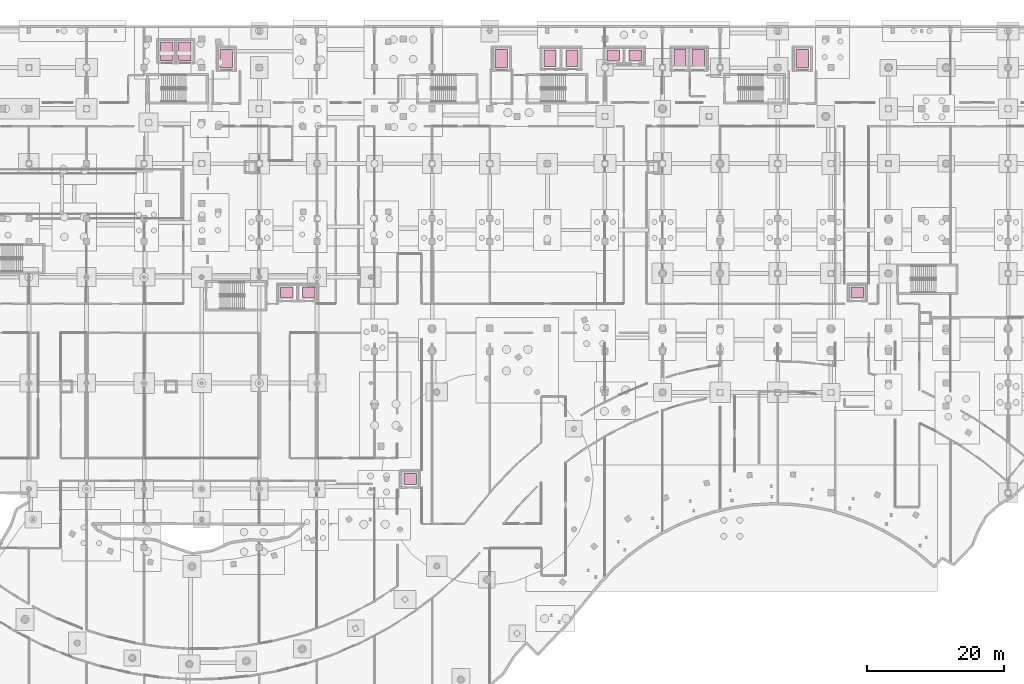
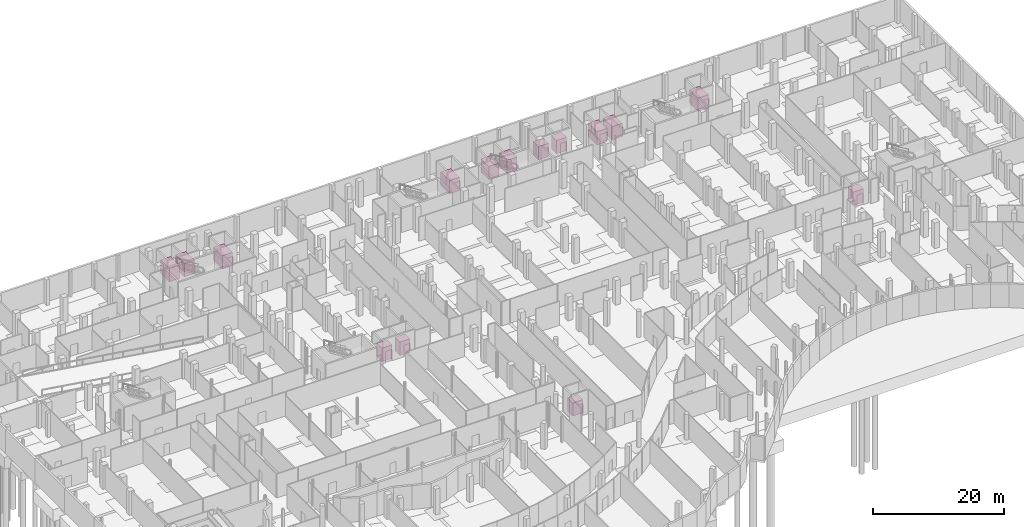
# One storey, part 45 of 45: 15 transport elements.
"""IFC4 building model written with IfcOpenShell, lengths in metres."""

from ifc_helpers import new_model, si_unit, direction, frame, origin, origin_2d, place, context, subcontext, project, spatial, rectangle, extrude, material, type_object, element, save


model = new_model("IFC4")

# Units and contexts
model_context = context("Model", 3, precision=1e-05, world=origin(), true_north=direction((0.0, 1.0)))
body_context = subcontext(model_context, "Body", "Model", "MODEL_VIEW")
ifc_project = project(units=[si_unit("LENGTHUNIT", "METRE"), si_unit("AREAUNIT", "SQUARE_METRE"), si_unit("VOLUMEUNIT", "CUBIC_METRE"), si_unit("PLANEANGLEUNIT", "RADIAN"), si_unit("MASSUNIT", "GRAM", prefix="KILO")], contexts=[model_context])

# Site, building, storey
site_placement = place(None, origin())
site = spatial("IfcSite", under=ifc_project, at=site_placement, CompositionType="ELEMENT")
building_placement = place(site_placement, origin())
building = spatial("IfcBuilding", under=site, at=building_placement, Name="Selatvlak General Hospital", CompositionType="ELEMENT")
storey_placement = place(building_placement, frame((0.0, 0.0, -4.800048828125)))
storey = spatial("IfcBuildingStorey", under=building, at=storey_placement, Name="B1", CompositionType="ELEMENT", Elevation=-4.800048828125)

# Transport elements
ifc_material = material(Name="Stainless steel 316 lift car", Category="steel")
transport_element_type_1 = type_object("IfcTransportElementType", Name="LIFT-LB-01", PredefinedType="ELEVATOR", material=ifc_material)
transport_element_1_placement = place(storey_placement, frame((51.300048828125, 116.39990234375, 0.0), z_axis=(0.0, 0.0, 1.0), x_axis=(1.0, 0.0, 0.0)))
element("IfcTransportElement", 1, at=transport_element_1_placement, inside=storey, type_object=transport_element_type_1, Name="Clinical Stretcher Lift LB-01", PredefinedType="ELEVATOR", context=body_context, shape_type="SweptSolid", body=[
    extrude(rectangle(XDim=1.800048828125, YDim=2.699951171875, at=origin_2d()), origin(), (0.0, 0.0, 1.0), 2.5),
])
transport_element_type_2 = type_object("IfcTransportElementType", Name="LIFT-LB-02", PredefinedType="ELEVATOR", material=ifc_material)
transport_element_2_placement = place(storey_placement, frame((53.949951171875, 116.39990234375, 0.0), z_axis=(0.0, 0.0, 1.0), x_axis=(1.0, 0.0, 0.0)))
element("IfcTransportElement", 2, at=transport_element_2_placement, inside=storey, type_object=transport_element_type_2, Name="Clinical Stretcher Lift LB-02", PredefinedType="ELEVATOR", context=body_context, shape_type="SweptSolid", body=[
    extrude(rectangle(XDim=1.800048828125, YDim=2.699951171875, at=origin_2d()), origin(), (0.0, 0.0, 1.0), 2.5),
])
transport_element_type_3 = type_object("IfcTransportElementType", Name="LIFT-LB-03", PredefinedType="ELEVATOR", material=ifc_material)
transport_element_3_placement = place(storey_placement, frame((126.14990234375, 115.300048828125, 0.0), z_axis=(0.0, 0.0, 1.0), x_axis=(1.0, 0.0, 0.0)))
element("IfcTransportElement", 3, at=transport_element_3_placement, inside=storey, type_object=transport_element_type_3, Name="Clinical Stretcher Lift LB-03", PredefinedType="ELEVATOR", context=body_context, shape_type="SweptSolid", body=[
    extrude(rectangle(XDim=1.800048828125, YDim=2.699951171875, at=origin_2d()), origin(), (0.0, 0.0, 1.0), 2.5),
])
transport_element_type_4 = type_object("IfcTransportElementType", Name="LIFT-LB-04", PredefinedType="ELEVATOR", material=ifc_material)
transport_element_4_placement = place(storey_placement, frame((128.800048828125, 115.300048828125, 0.0), z_axis=(0.0, 0.0, 1.0), x_axis=(1.0, 0.0, 0.0)))
element("IfcTransportElement", 4, at=transport_element_4_placement, inside=storey, type_object=transport_element_type_4, Name="Clinical Stretcher Lift LB-04", PredefinedType="ELEVATOR", context=body_context, shape_type="SweptSolid", body=[
    extrude(rectangle(XDim=1.800048828125, YDim=2.699951171875, at=origin_2d()), origin(), (0.0, 0.0, 1.0), 2.5),
])
transport_element_type_5 = type_object("IfcTransportElementType", Name="LIFT-LF-01", PredefinedType="ELEVATOR", material=ifc_material)
transport_element_5_placement = place(storey_placement, frame((60.0, 115.300048828125, 0.0), z_axis=(0.0, 0.0, 1.0), x_axis=(1.0, 0.0, 0.0)))
element("IfcTransportElement", 5, at=transport_element_5_placement, inside=storey, type_object=transport_element_type_5, Name="Fire Escape Bed Lift LF-01", PredefinedType="ELEVATOR", context=body_context, shape_type="SweptSolid", body=[
    extrude(rectangle(XDim=1.800048828125, YDim=2.699951171875, at=origin_2d()), origin(), (0.0, 0.0, 1.0), 2.5),
])
transport_element_type_6 = type_object("IfcTransportElementType", Name="LIFT-LF-02", PredefinedType="ELEVATOR", material=ifc_material)
transport_element_6_placement = place(storey_placement, frame((100.10009765625, 115.300048828125, 0.0), z_axis=(0.0, 0.0, 1.0), x_axis=(1.0, 0.0, 0.0)))
element("IfcTransportElement", 6, at=transport_element_6_placement, inside=storey, type_object=transport_element_type_6, Name="Fire Escape Bed Lift LF-02", PredefinedType="ELEVATOR", context=body_context, shape_type="SweptSolid", body=[
    extrude(rectangle(XDim=1.800048828125, YDim=2.699951171875, at=origin_2d()), origin(), (0.0, 0.0, 1.0), 2.5),
])
transport_element_type_7 = type_object("IfcTransportElementType", Name="LIFT-LF-03", PredefinedType="ELEVATOR", material=ifc_material)
transport_element_7_placement = place(storey_placement, frame((144.0, 115.300048828125, 0.0), z_axis=(0.0, 0.0, 1.0), x_axis=(1.0, 0.0, 0.0)))
element("IfcTransportElement", 7, at=transport_element_7_placement, inside=storey, type_object=transport_element_type_7, Name="Fire Escape Bed Lift LF-03", PredefinedType="ELEVATOR", context=body_context, shape_type="SweptSolid", body=[
    extrude(rectangle(XDim=1.800048828125, YDim=2.699951171875, at=origin_2d()), origin(), (0.0, 0.0, 1.0), 2.5),
])
transport_element_type_8 = type_object("IfcTransportElementType", Name="LIFT-LP-01", PredefinedType="ELEVATOR", material=ifc_material)
transport_element_8_placement = place(storey_placement, frame((68.800048828125, 81.199951171875, 0.0), z_axis=(0.0, 0.0, 1.0), x_axis=(1.0, 0.0, 0.0)))
element("IfcTransportElement", 8, at=transport_element_8_placement, inside=storey, type_object=transport_element_type_8, Name="Accessible Passenger Lift LP-01", PredefinedType="ELEVATOR", context=body_context, shape_type="SweptSolid", body=[
    extrude(rectangle(XDim=1.800048828125, YDim=1.60009765625, at=origin_2d()), origin(), (0.0, 0.0, 1.0), 2.5),
])
transport_element_type_9 = type_object("IfcTransportElementType", Name="LIFT-LP-02", PredefinedType="ELEVATOR", material=ifc_material)
transport_element_9_placement = place(storey_placement, frame((72.0, 81.199951171875, 0.0), z_axis=(0.0, 0.0, 1.0), x_axis=(1.0, 0.0, 0.0)))
element("IfcTransportElement", 9, at=transport_element_9_placement, inside=storey, type_object=transport_element_type_9, Name="Accessible Passenger Lift LP-02", PredefinedType="ELEVATOR", context=body_context, shape_type="SweptSolid", body=[
    extrude(rectangle(XDim=1.800048828125, YDim=1.60009765625, at=origin_2d()), origin(), (0.0, 0.0, 1.0), 2.5),
])
transport_element_type_10 = type_object("IfcTransportElementType", Name="LIFT-LP-03", PredefinedType="ELEVATOR", material=ifc_material)
transport_element_10_placement = place(storey_placement, frame((86.800048828125, 54.0, 0.0), z_axis=(0.0, 0.0, 1.0), x_axis=(1.0, 0.0, 0.0)))
element("IfcTransportElement", 10, at=transport_element_10_placement, inside=storey, type_object=transport_element_type_10, Name="Accessible Passenger Lift LP-03", PredefinedType="ELEVATOR", context=body_context, shape_type="SweptSolid", body=[
    extrude(rectangle(XDim=1.800048828125, YDim=1.60009765625, at=origin_2d()), origin(), (0.0, 0.0, 1.0), 2.5),
])
transport_element_type_11 = type_object("IfcTransportElementType", Name="LIFT-LP-04", PredefinedType="ELEVATOR", material=ifc_material)
transport_element_11_placement = place(storey_placement, frame((152.0, 81.199951171875, 0.0), z_axis=(0.0, 0.0, 1.0), x_axis=(1.0, 0.0, 0.0)))
element("IfcTransportElement", 11, at=transport_element_11_placement, inside=storey, type_object=transport_element_type_11, Name="Accessible Passenger Lift LP-04", PredefinedType="ELEVATOR", context=body_context, shape_type="SweptSolid", body=[
    extrude(rectangle(XDim=1.800048828125, YDim=1.60009765625, at=origin_2d()), origin(), (0.0, 0.0, 1.0), 2.5),
])
transport_element_type_12 = type_object("IfcTransportElementType", Name="LIFT-LP-05", PredefinedType="ELEVATOR", material=ifc_material)
transport_element_12_placement = place(storey_placement, frame((116.39990234375, 115.800048828125, 0.0), z_axis=(0.0, 0.0, 1.0), x_axis=(1.0, 0.0, 0.0)))
element("IfcTransportElement", 12, at=transport_element_12_placement, inside=storey, type_object=transport_element_type_12, Name="Accessible Passenger Lift LP-05", PredefinedType="ELEVATOR", context=body_context, shape_type="SweptSolid", body=[
    extrude(rectangle(XDim=1.800048828125, YDim=1.60009765625, at=origin_2d()), origin(), (0.0, 0.0, 1.0), 2.5),
])
transport_element_type_13 = type_object("IfcTransportElementType", Name="LIFT-LP-06", PredefinedType="ELEVATOR", material=ifc_material)
transport_element_13_placement = place(storey_placement, frame((119.60009765625, 115.800048828125, 0.0), z_axis=(0.0, 0.0, 1.0), x_axis=(1.0, 0.0, 0.0)))
element("IfcTransportElement", 13, at=transport_element_13_placement, inside=storey, type_object=transport_element_type_13, Name="Accessible Passenger Lift LP-06", PredefinedType="ELEVATOR", context=body_context, shape_type="SweptSolid", body=[
    extrude(rectangle(XDim=1.800048828125, YDim=1.60009765625, at=origin_2d()), origin(), (0.0, 0.0, 1.0), 2.5),
])
transport_element_type_14 = type_object("IfcTransportElementType", Name="LIFT-LS-01", PredefinedType="ELEVATOR", material=ifc_material)
transport_element_14_placement = place(storey_placement, frame((107.199951171875, 115.39990234375, 0.0), z_axis=(0.0, 0.0, 1.0), x_axis=(1.0, 0.0, 0.0)))
element("IfcTransportElement", 14, at=transport_element_14_placement, inside=storey, type_object=transport_element_type_14, Name="Clean Sterile Goods Lift LS-01", PredefinedType="ELEVATOR", context=body_context, shape_type="SweptSolid", body=[
    extrude(rectangle(XDim=1.800048828125, YDim=2.39990234375, at=origin_2d()), origin(), (0.0, 0.0, 1.0), 2.5),
])
transport_element_type_15 = type_object("IfcTransportElementType", Name="LIFT-LS-02", PredefinedType="ELEVATOR", material=ifc_material)
transport_element_15_placement = place(storey_placement, frame((110.39990234375, 115.39990234375, 0.0), z_axis=(0.0, 0.0, 1.0), x_axis=(1.0, 0.0, 0.0)))
element("IfcTransportElement", 15, at=transport_element_15_placement, inside=storey, type_object=transport_element_type_15, Name="Soiled Theatre Trolley Lift LS-02", PredefinedType="ELEVATOR", context=body_context, shape_type="SweptSolid", body=[
    extrude(rectangle(XDim=1.800048828125, YDim=2.39990234375, at=origin_2d()), origin(), (0.0, 0.0, 1.0), 2.5),
])

save(model, "model.ifc")
